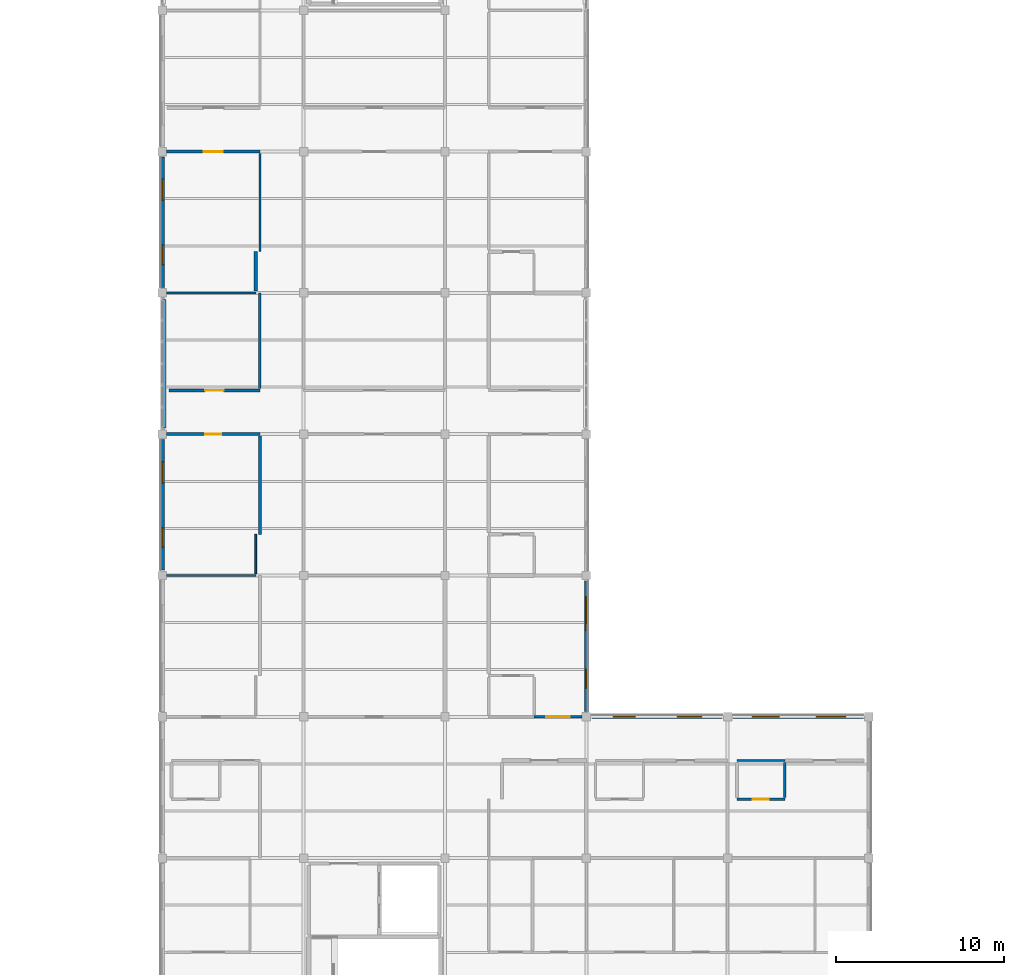
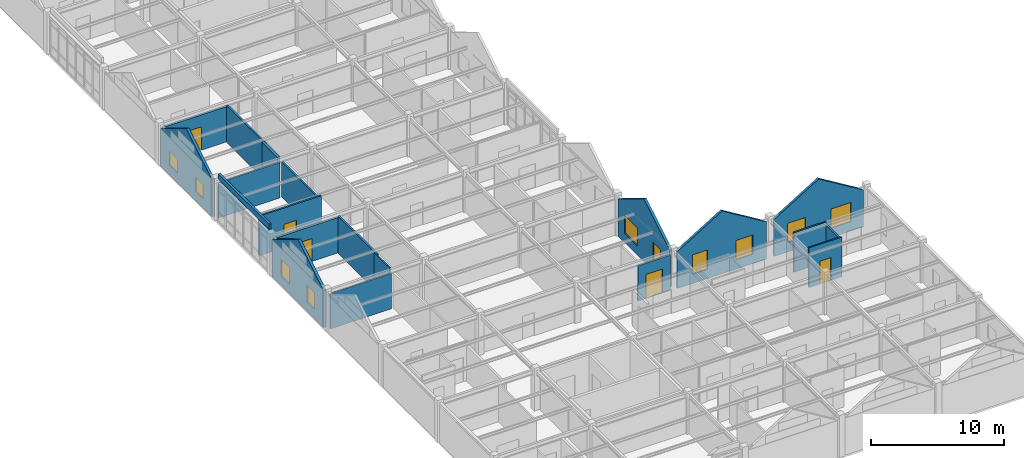
# One storey, part 35 of 45: 20 walls, 10 windows, 5 doors, 15 openings.
"""IFC4 building model written with IfcOpenShell, lengths in metres."""

from ifc_helpers import new_model, si_unit, direction, frame, frame_2d, origin, place, context, subcontext, project, spatial, polyline, rectangle, outline, extrude, material, layer, layer_set, type_object, element, fill, save


model = new_model("IFC4")

# Units and contexts
model_context = context("Model", 3, precision=1e-05, world=origin(), true_north=direction((0.0, 1.0)))
body_context = subcontext(model_context, "Body", "Model", "MODEL_VIEW")
ifc_project = project(units=[si_unit("LENGTHUNIT", "METRE"), si_unit("AREAUNIT", "SQUARE_METRE"), si_unit("VOLUMEUNIT", "CUBIC_METRE"), si_unit("PLANEANGLEUNIT", "RADIAN"), si_unit("MASSUNIT", "GRAM", prefix="KILO")], contexts=[model_context])

# Site, building, storey
site_placement = place(None, origin())
site = spatial("IfcSite", under=ifc_project, at=site_placement, CompositionType="ELEMENT")
building_placement = place(site_placement, origin())
building = spatial("IfcBuilding", under=site, at=building_placement, Name="Bramfleet General Hospital", CompositionType="ELEMENT")
storey_placement = place(building_placement, frame((0.0, 0.0, 30.300048828125)))
storey = spatial("IfcBuildingStorey", under=building, at=storey_placement, Name="L07", CompositionType="ELEMENT", Elevation=30.300048828125)

# Wall, openings, windows
ifc_material_1 = material(Name="Structural timber GL28h", Category="wood")
ifc_layer_1 = layer(ifc_material_1, 0.219970703125, Name="WT-EW-10")
ifc_layer_set_1 = layer_set([ifc_layer_1], Name="Structural timber GL28h")
wall_type_1 = type_object("IfcWallType", Name="WT-EW-10", PredefinedType="SOLIDWALL", material=ifc_layer_set_1)
wall_1_placement = place(storey_placement, frame((92.39990234375, 50.72509765625, 0.0), z_axis=(0.0, 0.0, 1.0), x_axis=(0.0, 1.0, 0.0)))
wall_1 = element("IfcWall", 1, at=wall_1_placement, inside=storey, type_object=wall_type_1, Name="L07 Exterior Wall 427", PredefinedType="SOLIDWALL", context=body_context, shape_type="SweptSolid", body=[
    extrude(outline(polyline([(0.0, 0.0), (7.75, 0.0), (7.75, 3.419921875), (3.875, 5.76025390625), (0.0, 3.419921875), (0.0, 0.0)])), frame((0.0, 0.10986328125, 0.0), z_axis=(0.0, -1.0, 0.0), x_axis=(1.0, 0.0, 0.0)), (0.0, 0.0, 1.0), 0.219970703125),
])
opening_1_placement = place(wall_1_placement, frame((1.362548828125, 0.0, 0.85009765625)))
opening_1 = element("IfcOpeningElement", 2, at=opening_1_placement, cuts=wall_1, Name="Opening W-03", PredefinedType="OPENING", context=body_context, shape_type="SweptSolid", body=[
    extrude(rectangle(XDim=1.14990234375, YDim=1.300048828125, at=frame_2d((0.574951171875, 0.64990234375))), frame((0.0, 0.119873046875, 0.0), z_axis=(0.0, -1.0, 0.0), x_axis=(1.0, 0.0, 0.0)), (0.0, 0.0, 1.0), 0.239990234375),
])
opening_2_placement = place(wall_1_placement, frame((5.1875, 0.0, 0.85009765625)))
opening_2 = element("IfcOpeningElement", 3, at=opening_2_placement, cuts=wall_1, Name="Opening W-04", PredefinedType="OPENING", context=body_context, shape_type="SweptSolid", body=[
    extrude(rectangle(XDim=1.25, YDim=1.300048828125, at=frame_2d((0.625, 0.64990234375))), frame((0.0, 0.119873046875, 0.0), z_axis=(0.0, -1.0, 0.0), x_axis=(1.0, 0.0, 0.0)), (0.0, 0.0, 1.0), 0.239990234375),
])
ifc_material_2 = material(Name="Anodised aluminium and low-E triple glazing", Category="aluminium")
window_type_1 = type_object("IfcWindowType", Name="WIN-W-03", PartitioningType="SINGLE_PANEL", PredefinedType="WINDOW", material=ifc_material_2)
window_1_placement = place(opening_1_placement, origin())
window_1 = element("IfcWindow", 4, at=window_1_placement, inside=storey, type_object=window_type_1, Name="L07 Facade Window WIN-L07-427-1", OverallHeight=1.300048828125, OverallWidth=1.14990234375, PartitioningType="SINGLE_PANEL", PredefinedType="WINDOW", context=body_context, shape_type="SweptSolid", body=[
    extrude(rectangle(XDim=1.14990234375, YDim=1.300048828125, at=frame_2d((0.574951171875, 0.64990234375))), frame((0.0, 0.030029296875, 0.0), z_axis=(0.0, -1.0, 0.0), x_axis=(1.0, 0.0, 0.0)), (0.0, 0.0, 1.0), 0.06005859375),
])
fill(opening_1, window_1)
window_type_2 = type_object("IfcWindowType", Name="WIN-W-04", PartitioningType="SINGLE_PANEL", PredefinedType="WINDOW", material=ifc_material_2)
window_2_placement = place(opening_2_placement, origin())
window_2 = element("IfcWindow", 5, at=window_2_placement, inside=storey, type_object=window_type_2, Name="L07 Facade Window WIN-L07-427-2", OverallHeight=1.300048828125, OverallWidth=1.25, PartitioningType="SINGLE_PANEL", PredefinedType="WINDOW", context=body_context, shape_type="SweptSolid", body=[
    extrude(rectangle(XDim=1.25, YDim=1.300048828125, at=frame_2d((0.625, 0.64990234375))), frame((0.0, 0.030029296875, 0.0), z_axis=(0.0, -1.0, 0.0), x_axis=(1.0, 0.0, 0.0)), (0.0, 0.0, 1.0), 0.06005859375),
])
fill(opening_2, window_2)

wall_2_placement = place(storey_placement, frame((117.60009765625, 33.27490234375, 0.0), z_axis=(0.0, 0.0, 1.0), x_axis=(0.0, -1.0, 0.0)))
wall_2 = element("IfcWall", 6, at=wall_2_placement, inside=storey, type_object=wall_type_1, Name="L07 Exterior Wall 446", PredefinedType="SOLIDWALL", context=body_context, shape_type="SweptSolid", body=[
    extrude(outline(polyline([(0.0, 0.0), (7.75, 0.0), (7.75, 3.419921875), (3.875, 5.76025390625), (0.0, 3.419921875), (0.0, 0.0)])), frame((0.0, 0.10986328125, 0.0), z_axis=(0.0, -1.0, 0.0), x_axis=(1.0, 0.0, 0.0)), (0.0, 0.0, 1.0), 0.219970703125),
])
opening_3_placement = place(wall_2_placement, frame((0.9375, 0.0, 0.85009765625)))
opening_3 = element("IfcOpeningElement", 7, at=opening_3_placement, cuts=wall_2, Name="Opening W-40", PredefinedType="OPENING", context=body_context, shape_type="SweptSolid", body=[
    extrude(rectangle(XDim=2.0, YDim=1.659912109375, at=frame_2d((1.0, 0.830078125))), frame((0.0, 0.119873046875, 0.0), z_axis=(0.0, -1.0, 0.0), x_axis=(1.0, 0.0, 0.0)), (0.0, 0.0, 1.0), 0.239990234375),
])
opening_4_placement = place(wall_2_placement, frame((5.237548828125, 0.0, 0.85009765625)))
opening_4 = element("IfcOpeningElement", 8, at=opening_4_placement, cuts=wall_2, Name="Opening W-41", PredefinedType="OPENING", context=body_context, shape_type="SweptSolid", body=[
    extrude(rectangle(XDim=1.14990234375, YDim=1.780029296875, at=frame_2d((0.574951171875, 0.89013671875))), frame((0.0, 0.119873046875, 0.0), z_axis=(0.0, -1.0, 0.0), x_axis=(1.0, 0.0, 0.0)), (0.0, 0.0, 1.0), 0.239990234375),
])
window_type_3 = type_object("IfcWindowType", Name="WIN-W-40", PartitioningType="SINGLE_PANEL", PredefinedType="WINDOW", material=ifc_material_2)
window_3_placement = place(opening_3_placement, origin())
window_3 = element("IfcWindow", 9, at=window_3_placement, inside=storey, type_object=window_type_3, Name="L07 Facade Window WIN-L07-446-1", OverallHeight=1.659912109375, OverallWidth=2.0, PartitioningType="SINGLE_PANEL", PredefinedType="WINDOW", context=body_context, shape_type="SweptSolid", body=[
    extrude(rectangle(XDim=2.0, YDim=1.659912109375, at=frame_2d((1.0, 0.830078125))), frame((0.0, 0.030029296875, 0.0), z_axis=(0.0, -1.0, 0.0), x_axis=(1.0, 0.0, 0.0)), (0.0, 0.0, 1.0), 0.06005859375),
])
fill(opening_3, window_3)
window_type_4 = type_object("IfcWindowType", Name="WIN-W-41", PartitioningType="SINGLE_PANEL", PredefinedType="WINDOW", material=ifc_material_2)
window_4_placement = place(opening_4_placement, origin())
window_4 = element("IfcWindow", 10, at=window_4_placement, inside=storey, type_object=window_type_4, Name="L07 Facade Window WIN-L07-446-2", OverallHeight=1.780029296875, OverallWidth=1.14990234375, PartitioningType="SINGLE_PANEL", PredefinedType="WINDOW", context=body_context, shape_type="SweptSolid", body=[
    extrude(rectangle(XDim=1.14990234375, YDim=1.780029296875, at=frame_2d((0.574951171875, 0.89013671875))), frame((0.0, 0.030029296875, 0.0), z_axis=(0.0, -1.0, 0.0), x_axis=(1.0, 0.0, 0.0)), (0.0, 0.0, 1.0), 0.06005859375),
])
fill(opening_4, window_4)

wall_3_placement = place(storey_placement, frame((117.925048828125, 25.199951171875, 0.0), z_axis=(0.0, 0.0, 1.0), x_axis=(1.0, 0.0, 0.0)))
wall_3 = element("IfcWall", 11, at=wall_3_placement, inside=storey, type_object=wall_type_1, Name="L07 Exterior Wall 447", PredefinedType="SOLIDWALL", context=body_context, shape_type="SweptSolid", body=[
    extrude(outline(polyline([(0.0, 0.0), (7.75, 0.0), (7.75, 3.39990234375), (3.875, 5.76025390625), (0.0, 3.39990234375), (0.0, 0.0)])), frame((0.0, 0.10986328125, 0.0), z_axis=(0.0, -1.0, 0.0), x_axis=(1.0, 0.0, 0.0)), (0.0, 0.0, 1.0), 0.219970703125),
])
opening_5_placement = place(wall_3_placement, frame((1.28759765625, 0.0, 0.85009765625)))
opening_5 = element("IfcOpeningElement", 12, at=opening_5_placement, cuts=wall_3, Name="Opening W-42", PredefinedType="OPENING", context=body_context, shape_type="SweptSolid", body=[
    extrude(rectangle(XDim=1.300048828125, YDim=1.780029296875, at=frame_2d((0.64990234375, 0.89013671875))), frame((0.0, 0.119873046875, 0.0), z_axis=(0.0, -1.0, 0.0), x_axis=(1.0, 0.0, 0.0)), (0.0, 0.0, 1.0), 0.239990234375),
])
opening_6_placement = place(wall_3_placement, frame((5.08740234375, 0.0, 0.85009765625)))
opening_6 = element("IfcOpeningElement", 13, at=opening_6_placement, cuts=wall_3, Name="Opening W-43", PredefinedType="OPENING", context=body_context, shape_type="SweptSolid", body=[
    extrude(rectangle(XDim=1.449951171875, YDim=1.780029296875, at=frame_2d((0.72509765625, 0.89013671875))), frame((0.0, 0.119873046875, 0.0), z_axis=(0.0, -1.0, 0.0), x_axis=(1.0, 0.0, 0.0)), (0.0, 0.0, 1.0), 0.239990234375),
])
window_type_5 = type_object("IfcWindowType", Name="WIN-W-42", PartitioningType="SINGLE_PANEL", PredefinedType="WINDOW", material=ifc_material_2)
window_5_placement = place(opening_5_placement, origin())
window_5 = element("IfcWindow", 14, at=window_5_placement, inside=storey, type_object=window_type_5, Name="L07 Facade Window WIN-L07-447-1", OverallHeight=1.780029296875, OverallWidth=1.300048828125, PartitioningType="SINGLE_PANEL", PredefinedType="WINDOW", context=body_context, shape_type="SweptSolid", body=[
    extrude(rectangle(XDim=1.300048828125, YDim=1.780029296875, at=frame_2d((0.64990234375, 0.89013671875))), frame((0.0, 0.030029296875, 0.0), z_axis=(0.0, -1.0, 0.0), x_axis=(1.0, 0.0, 0.0)), (0.0, 0.0, 1.0), 0.06005859375),
])
fill(opening_5, window_5)
window_type_6 = type_object("IfcWindowType", Name="WIN-W-43", PartitioningType="SINGLE_PANEL", PredefinedType="WINDOW", material=ifc_material_2)
window_6_placement = place(opening_6_placement, origin())
window_6 = element("IfcWindow", 15, at=window_6_placement, inside=storey, type_object=window_type_6, Name="L07 Facade Window WIN-L07-447-2", OverallHeight=1.780029296875, OverallWidth=1.449951171875, PartitioningType="SINGLE_PANEL", PredefinedType="WINDOW", context=body_context, shape_type="SweptSolid", body=[
    extrude(rectangle(XDim=1.449951171875, YDim=1.780029296875, at=frame_2d((0.72509765625, 0.89013671875))), frame((0.0, 0.030029296875, 0.0), z_axis=(0.0, -1.0, 0.0), x_axis=(1.0, 0.0, 0.0)), (0.0, 0.0, 1.0), 0.06005859375),
])
fill(opening_6, window_6)

wall_4_placement = place(storey_placement, frame((126.324951171875, 25.199951171875, 0.0), z_axis=(0.0, 0.0, 1.0), x_axis=(1.0, 0.0, 0.0)))
wall_4 = element("IfcWall", 16, at=wall_4_placement, inside=storey, type_object=wall_type_1, Name="L07 Exterior Wall 448", PredefinedType="SOLIDWALL", context=body_context, shape_type="SweptSolid", body=[
    extrude(outline(polyline([(0.0, 0.0), (7.75, 0.0), (7.75, 3.39990234375), (3.875, 5.76025390625), (0.0, 3.39990234375), (0.0, 0.0)])), frame((0.0, 0.10986328125, 0.0), z_axis=(0.0, -1.0, 0.0), x_axis=(1.0, 0.0, 0.0)), (0.0, 0.0, 1.0), 0.219970703125),
])
opening_7_placement = place(wall_4_placement, frame((1.137451171875, 0.0, 0.85009765625)))
opening_7 = element("IfcOpeningElement", 17, at=opening_7_placement, cuts=wall_4, Name="Opening W-44", PredefinedType="OPENING", context=body_context, shape_type="SweptSolid", body=[
    extrude(rectangle(XDim=1.60009765625, YDim=1.780029296875, at=frame_2d((0.800048828125, 0.89013671875))), frame((0.0, 0.119873046875, 0.0), z_axis=(0.0, -1.0, 0.0), x_axis=(1.0, 0.0, 0.0)), (0.0, 0.0, 1.0), 0.239990234375),
])
opening_8_placement = place(wall_4_placement, frame((4.9375, 0.0, 0.85009765625)))
opening_8 = element("IfcOpeningElement", 18, at=opening_8_placement, cuts=wall_4, Name="Opening W-45", PredefinedType="OPENING", context=body_context, shape_type="SweptSolid", body=[
    extrude(rectangle(XDim=1.75, YDim=1.780029296875, at=frame_2d((0.875, 0.89013671875))), frame((0.0, 0.119873046875, 0.0), z_axis=(0.0, -1.0, 0.0), x_axis=(1.0, 0.0, 0.0)), (0.0, 0.0, 1.0), 0.239990234375),
])
window_type_7 = type_object("IfcWindowType", Name="WIN-W-44", PartitioningType="SINGLE_PANEL", PredefinedType="WINDOW", material=ifc_material_2)
window_7_placement = place(opening_7_placement, origin())
window_7 = element("IfcWindow", 19, at=window_7_placement, inside=storey, type_object=window_type_7, Name="L07 Facade Window WIN-L07-448-1", OverallHeight=1.780029296875, OverallWidth=1.60009765625, PartitioningType="SINGLE_PANEL", PredefinedType="WINDOW", context=body_context, shape_type="SweptSolid", body=[
    extrude(rectangle(XDim=1.60009765625, YDim=1.780029296875, at=frame_2d((0.800048828125, 0.89013671875))), frame((0.0, 0.030029296875, 0.0), z_axis=(0.0, -1.0, 0.0), x_axis=(1.0, 0.0, 0.0)), (0.0, 0.0, 1.0), 0.06005859375),
])
fill(opening_7, window_7)
window_type_8 = type_object("IfcWindowType", Name="WIN-W-45", PartitioningType="SINGLE_PANEL", PredefinedType="WINDOW", material=ifc_material_2)
window_8_placement = place(opening_8_placement, origin())
window_8 = element("IfcWindow", 20, at=window_8_placement, inside=storey, type_object=window_type_8, Name="L07 Facade Window WIN-L07-448-2", OverallHeight=1.780029296875, OverallWidth=1.75, PartitioningType="SINGLE_PANEL", PredefinedType="WINDOW", context=body_context, shape_type="SweptSolid", body=[
    extrude(rectangle(XDim=1.75, YDim=1.780029296875, at=frame_2d((0.875, 0.89013671875))), frame((0.0, 0.030029296875, 0.0), z_axis=(0.0, -1.0, 0.0), x_axis=(1.0, 0.0, 0.0)), (0.0, 0.0, 1.0), 0.06005859375),
])
fill(opening_8, window_8)

wall_5_placement = place(storey_placement, frame((92.39990234375, 33.925048828125, 0.0), z_axis=(0.0, 0.0, 1.0), x_axis=(0.0, 1.0, 0.0)))
wall_5 = element("IfcWall", 21, at=wall_5_placement, inside=storey, type_object=wall_type_1, Name="L07 Exterior Wall 460", PredefinedType="SOLIDWALL", context=body_context, shape_type="SweptSolid", body=[
    extrude(outline(polyline([(0.0, 0.0), (7.75, 0.0), (7.75, 3.419921875), (3.875, 5.76025390625), (0.0, 3.419921875), (0.0, 0.0)])), frame((0.0, 0.10986328125, 0.0), z_axis=(0.0, -1.0, 0.0), x_axis=(1.0, 0.0, 0.0)), (0.0, 0.0, 1.0), 0.219970703125),
])
opening_9_placement = place(wall_5_placement, frame((1.362548828125, 0.0, 0.85009765625)))
opening_9 = element("IfcOpeningElement", 22, at=opening_9_placement, cuts=wall_5, Name="Opening W-22", PredefinedType="OPENING", context=body_context, shape_type="SweptSolid", body=[
    extrude(rectangle(XDim=1.14990234375, YDim=1.5400390625, at=frame_2d((0.574951171875, 0.77001953125))), frame((0.0, 0.119873046875, 0.0), z_axis=(0.0, -1.0, 0.0), x_axis=(1.0, 0.0, 0.0)), (0.0, 0.0, 1.0), 0.239990234375),
])
opening_10_placement = place(wall_5_placement, frame((5.1875, 0.0, 0.85009765625)))
opening_10 = element("IfcOpeningElement", 23, at=opening_10_placement, cuts=wall_5, Name="Opening W-23", PredefinedType="OPENING", context=body_context, shape_type="SweptSolid", body=[
    extrude(rectangle(XDim=1.25, YDim=1.5400390625, at=frame_2d((0.625, 0.77001953125))), frame((0.0, 0.119873046875, 0.0), z_axis=(0.0, -1.0, 0.0), x_axis=(1.0, 0.0, 0.0)), (0.0, 0.0, 1.0), 0.239990234375),
])
window_type_9 = type_object("IfcWindowType", Name="WIN-W-22", PartitioningType="SINGLE_PANEL", PredefinedType="WINDOW", material=ifc_material_2)
window_9_placement = place(opening_9_placement, origin())
window_9 = element("IfcWindow", 24, at=window_9_placement, inside=storey, type_object=window_type_9, Name="L07 Facade Window WIN-L07-460-1", OverallHeight=1.5400390625, OverallWidth=1.14990234375, PartitioningType="SINGLE_PANEL", PredefinedType="WINDOW", context=body_context, shape_type="SweptSolid", body=[
    extrude(rectangle(XDim=1.14990234375, YDim=1.5400390625, at=frame_2d((0.574951171875, 0.77001953125))), frame((0.0, 0.030029296875, 0.0), z_axis=(0.0, -1.0, 0.0), x_axis=(1.0, 0.0, 0.0)), (0.0, 0.0, 1.0), 0.06005859375),
])
fill(opening_9, window_9)
window_type_10 = type_object("IfcWindowType", Name="WIN-W-23", PartitioningType="SINGLE_PANEL", PredefinedType="WINDOW", material=ifc_material_2)
window_10_placement = place(opening_10_placement, origin())
window_10 = element("IfcWindow", 25, at=window_10_placement, inside=storey, type_object=window_type_10, Name="L07 Facade Window WIN-L07-460-2", OverallHeight=1.5400390625, OverallWidth=1.25, PartitioningType="SINGLE_PANEL", PredefinedType="WINDOW", context=body_context, shape_type="SweptSolid", body=[
    extrude(rectangle(XDim=1.25, YDim=1.5400390625, at=frame_2d((0.625, 0.77001953125))), frame((0.0, 0.030029296875, 0.0), z_axis=(0.0, -1.0, 0.0), x_axis=(1.0, 0.0, 0.0)), (0.0, 0.0, 1.0), 0.06005859375),
])
fill(opening_10, window_10)

# Wall
ifc_material_3 = material(Name="Concrete C35/45", Category="concrete")
ifc_layer_2 = layer(ifc_material_3, 0.219970703125, Name="WT-IW-01")
ifc_layer_set_2 = layer_set([ifc_layer_2], Name="Concrete C35/45")
wall_type_2 = type_object("IfcWallType", Name="WT-IW-01", PredefinedType="PARTITIONING", material=ifc_layer_set_2)
wall_6_placement = place(storey_placement, frame((97.949951171875, 50.514892578125, 0.0), z_axis=(0.0, 0.0, 1.0), x_axis=(0.0, 1.0, 0.0)))
element("IfcWall", 26, at=wall_6_placement, inside=storey, type_object=wall_type_2, Name="L07 Interior Partition IW-L07-4273", PredefinedType="PARTITIONING", context=body_context, shape_type="SweptSolid", body=[
    extrude(rectangle(XDim=2.335205078125, YDim=0.219970703125, at=frame_2d((1.16748046875, 0.0))), origin(), (0.0, 0.0, 1.0), 3.64990234375),
])

# Wall, opening, door
ifc_layer_3 = layer(ifc_material_3, 0.18994140625, Name="WT-IW-03")
ifc_layer_set_3 = layer_set([ifc_layer_3], Name="Concrete C35/45")
wall_type_3 = type_object("IfcWallType", Name="WT-IW-03", PredefinedType="PARTITIONING", material=ifc_layer_set_3)
wall_7_placement = place(storey_placement, frame((92.64501953125, 58.800048828125, 0.0), z_axis=(0.0, 0.0, 1.0), x_axis=(1.0, 0.0, 0.0)))
wall_7 = element("IfcWall", 27, at=wall_7_placement, inside=storey, type_object=wall_type_3, Name="L07 Interior Partition IW-L07-4179", PredefinedType="PARTITIONING", context=body_context, shape_type="SweptSolid", body=[
    extrude(rectangle(XDim=5.554931640625, YDim=0.18994140625, at=frame_2d((2.77734375, 0.0))), origin(), (0.0, 0.0, 1.0), 3.25),
])
opening_11_placement = place(wall_7_placement, frame((2.202392578125, 0.0, 0.0)))
opening_11 = element("IfcOpeningElement", 28, at=opening_11_placement, cuts=wall_7, Name="Opening D1548", PredefinedType="OPENING", context=body_context, shape_type="SweptSolid", body=[
    extrude(rectangle(XDim=1.14990234375, YDim=2.14990234375, at=frame_2d((0.574951171875, 1.074951171875))), frame((0.0, 0.10498046875, 0.0), z_axis=(0.0, -1.0, 0.0), x_axis=(1.0, 0.0, 0.0)), (0.0, 0.0, 1.0), 0.2099609375),
])
ifc_material_4 = material(Name="Stainless steel and acoustic timber leaf", Category="steel")
door_type_1 = type_object("IfcDoorType", Name="DR-D-12", OperationType="NOTDEFINED", PredefinedType="DOOR", material=ifc_material_4)
door_1_placement = place(opening_11_placement, origin())
door_1 = element("IfcDoor", 29, at=door_1_placement, inside=storey, type_object=door_type_1, Name="Gabled Patient House PH-11 Bedroom 1106 Door D1548", OperationType="SINGLE_SWING_LEFT", OverallHeight=2.14990234375, OverallWidth=1.14990234375, PredefinedType="DOOR", context=body_context, shape_type="SweptSolid", body=[
    extrude(rectangle(XDim=1.14990234375, YDim=2.14990234375, at=frame_2d((0.574951171875, 1.074951171875))), frame((0.0, 0.02490234375, 0.0), z_axis=(0.0, -1.0, 0.0), x_axis=(1.0, 0.0, 0.0)), (0.0, 0.0, 1.0), 0.050048828125),
])
fill(opening_11, door_1)

ifc_layer_4 = layer(ifc_material_3, 0.179931640625, Name="WT-IW-04")
ifc_layer_set_4 = layer_set([ifc_layer_4], Name="Concrete C35/45")
wall_type_4 = type_object("IfcWallType", Name="WT-IW-04", PredefinedType="PARTITIONING", material=ifc_layer_set_4)
wall_8_placement = place(storey_placement, frame((92.64501953125, 42.0, 0.0), z_axis=(0.0, 0.0, 1.0), x_axis=(1.0, 0.0, 0.0)))
wall_8 = element("IfcWall", 30, at=wall_8_placement, inside=storey, type_object=wall_type_4, Name="L07 Interior Partition IW-L07-4168", PredefinedType="PARTITIONING", context=body_context, shape_type="SweptSolid", body=[
    extrude(rectangle(XDim=5.554931640625, YDim=0.179931640625, at=frame_2d((2.77734375, 0.0))), origin(), (0.0, 0.0, 1.0), 3.25),
])
opening_12_placement = place(wall_8_placement, frame((2.302490234375, 0.0, 0.0)))
opening_12 = element("IfcOpeningElement", 31, at=opening_12_placement, cuts=wall_8, Name="Opening D1546", PredefinedType="OPENING", context=body_context, shape_type="SweptSolid", body=[
    extrude(rectangle(XDim=0.949951171875, YDim=2.10009765625, at=frame_2d((0.47509765625, 1.050048828125))), frame((0.0, 0.099853515625, 0.0), z_axis=(0.0, -1.0, 0.0), x_axis=(1.0, 0.0, 0.0)), (0.0, 0.0, 1.0), 0.199951171875),
])
door_type_2 = type_object("IfcDoorType", Name="DR-D-10", OperationType="NOTDEFINED", PredefinedType="DOOR", material=ifc_material_4)
door_2_placement = place(opening_12_placement, origin())
door_2 = element("IfcDoor", 32, at=door_2_placement, inside=storey, type_object=door_type_2, Name="Gabled Patient House PH-10 Bedroom 1104 Door D1546", OperationType="SINGLE_SWING_LEFT", OverallHeight=2.10009765625, OverallWidth=0.949951171875, PredefinedType="DOOR", context=body_context, shape_type="SweptSolid", body=[
    extrude(rectangle(XDim=0.949951171875, YDim=2.10009765625, at=frame_2d((0.47509765625, 1.050048828125))), frame((0.0, 0.02490234375, 0.0), z_axis=(0.0, -1.0, 0.0), x_axis=(1.0, 0.0, 0.0)), (0.0, 0.0, 1.0), 0.050048828125),
])
fill(opening_12, door_2)

# Wall
ifc_material_5 = material(Name="Gypsum plasterboard on acoustic steel studs", Category="steel")
ifc_layer_5 = layer(ifc_material_5, 0.159912109375, Name="WT-IW-06")
ifc_layer_set_5 = layer_set([ifc_layer_5], Name="Gypsum plasterboard on acoustic steel studs")
wall_type_5 = type_object("IfcWallType", Name="WT-IW-06", PredefinedType="PARTITIONING", material=ifc_layer_set_5)
wall_9_placement = place(storey_placement, frame((98.199951171875, 36.050048828125, 0.0), z_axis=(0.0, 0.0, 1.0), x_axis=(0.0, 1.0, 0.0)))
element("IfcWall", 33, at=wall_9_placement, inside=storey, type_object=wall_type_5, Name="L07 Interior Partition IW-L07-4278", PredefinedType="PARTITIONING", context=body_context, shape_type="SweptSolid", body=[
    extrude(rectangle(XDim=5.8349609375, YDim=0.159912109375, at=frame_2d((2.91748046875, 0.0))), origin(), (0.0, 0.0, 1.0), 3.409912109375),
])

# Wall, opening, door
ifc_layer_6 = layer(ifc_material_5, 0.14990234375, Name="WT-IW-07")
ifc_layer_set_6 = layer_set([ifc_layer_6], Name="Gypsum plasterboard on acoustic steel studs")
wall_type_6 = type_object("IfcWallType", Name="WT-IW-07", PredefinedType="PARTITIONING", material=ifc_layer_set_6)
wall_10_placement = place(storey_placement, frame((92.7900390625, 44.60009765625, 0.0), z_axis=(0.0, 0.0, 1.0), x_axis=(1.0, 0.0, 0.0)))
wall_10 = element("IfcWall", 34, at=wall_10_placement, inside=storey, type_object=wall_type_6, Name="L07 Interior Partition IW-L07-4171", PredefinedType="PARTITIONING", context=body_context, shape_type="SweptSolid", body=[
    extrude(rectangle(XDim=5.409912109375, YDim=0.14990234375, at=frame_2d((2.705078125, 0.0))), origin(), (0.0, 0.0, 1.0), 3.64990234375),
])
opening_13_placement = place(wall_10_placement, frame((2.155029296875, 0.0, 0.0)))
opening_13 = element("IfcOpeningElement", 35, at=opening_13_placement, cuts=wall_10, Name="Opening D1547", PredefinedType="OPENING", context=body_context, shape_type="SweptSolid", body=[
    extrude(rectangle(XDim=1.10009765625, YDim=2.14990234375, at=frame_2d((0.550048828125, 1.074951171875))), frame((0.0, 0.0849609375, 0.0), z_axis=(0.0, -1.0, 0.0), x_axis=(1.0, 0.0, 0.0)), (0.0, 0.0, 1.0), 0.169921875),
])
door_type_3 = type_object("IfcDoorType", Name="DR-D-11", OperationType="NOTDEFINED", PredefinedType="DOOR", material=ifc_material_4)
door_3_placement = place(opening_13_placement, origin())
door_3 = element("IfcDoor", 36, at=door_3_placement, inside=storey, type_object=door_type_3, Name="Flat-Link Nurse Station and Medication Hub L07-1105 Door D1547", OperationType="SINGLE_SWING_RIGHT", OverallHeight=2.14990234375, OverallWidth=1.10009765625, PredefinedType="DOOR", context=body_context, shape_type="SweptSolid", body=[
    extrude(rectangle(XDim=1.10009765625, YDim=2.14990234375, at=frame_2d((0.550048828125, 1.074951171875))), frame((0.0, 0.02490234375, 0.0), z_axis=(0.0, -1.0, 0.0), x_axis=(1.0, 0.0, 0.0)), (0.0, 0.0, 1.0), 0.050048828125),
])
fill(opening_13, door_3)

# Walls
wall_11_placement = place(storey_placement, frame((98.199951171875, 44.715087890625, 0.0), z_axis=(0.0, 0.0, 1.0), x_axis=(0.0, 1.0, 0.0)))
element("IfcWall", 37, at=wall_11_placement, inside=storey, type_object=wall_type_6, Name="L07 Interior Partition IW-L07-4279", PredefinedType="PARTITIONING", context=body_context, shape_type="SweptSolid", body=[
    extrude(rectangle(XDim=5.684814453125, YDim=0.14990234375, at=frame_2d((2.84228515625, 0.0))), origin(), (0.0, 0.0, 1.0), 3.25),
])
wall_12_placement = place(storey_placement, frame((129.39990234375, 20.4150390625, 0.0), z_axis=(0.0, 0.0, 1.0), x_axis=(0.0, 1.0, 0.0)))
element("IfcWall", 38, at=wall_12_placement, inside=storey, type_object=wall_type_6, Name="L07 Interior Partition IW-L07-4351", PredefinedType="PARTITIONING", context=body_context, shape_type="SweptSolid", body=[
    extrude(rectangle(XDim=2.070068359375, YDim=0.14990234375, at=frame_2d((1.03515625, 0.0))), origin(), (0.0, 0.0, 1.0), 3.409912109375),
])
ifc_layer_7 = layer(ifc_material_5, 0.139892578125, Name="WT-IW-08")
ifc_layer_set_7 = layer_set([ifc_layer_7], Name="Gypsum plasterboard on acoustic steel studs")
wall_type_7 = type_object("IfcWallType", Name="WT-IW-08", PredefinedType="PARTITIONING", material=ifc_layer_set_7)
wall_13_placement = place(storey_placement, frame((98.199951171875, 52.85009765625, 0.0), z_axis=(0.0, 0.0, 1.0), x_axis=(0.0, 1.0, 0.0)))
element("IfcWall", 39, at=wall_13_placement, inside=storey, type_object=wall_type_7, Name="L07 Interior Partition IW-L07-4280", PredefinedType="PARTITIONING", context=body_context, shape_type="SweptSolid", body=[
    extrude(rectangle(XDim=5.8349609375, YDim=0.139892578125, at=frame_2d((2.91748046875, 0.0))), origin(), (0.0, 0.0, 1.0), 3.409912109375),
])

# Wall, opening, door
ifc_layer_8 = layer(ifc_material_5, 0.1298828125, Name="WT-IW-09")
ifc_layer_set_8 = layer_set([ifc_layer_8], Name="Gypsum plasterboard on acoustic steel studs")
wall_type_8 = type_object("IfcWallType", Name="WT-IW-09", PredefinedType="PARTITIONING", material=ifc_layer_set_8)
wall_14_placement = place(storey_placement, frame((114.5, 25.199951171875, 0.0), z_axis=(0.0, 0.0, 1.0), x_axis=(1.0, 0.0, 0.0)))
wall_14 = element("IfcWall", 40, at=wall_14_placement, inside=storey, type_object=wall_type_8, Name="L07 Interior Partition IW-L07-4161", PredefinedType="PARTITIONING", context=body_context, shape_type="SweptSolid", body=[
    extrude(rectangle(XDim=2.85498046875, YDim=0.1298828125, at=frame_2d((1.427490234375, 0.0))), origin(), (0.0, 0.0, 1.0), 3.25),
])
opening_14_placement = place(wall_14_placement, frame((0.7275390625, 0.0, 0.0)))
opening_14 = element("IfcOpeningElement", 41, at=opening_14_placement, cuts=wall_14, Name="Opening D1569", PredefinedType="OPENING", context=body_context, shape_type="SweptSolid", body=[
    extrude(rectangle(XDim=1.39990234375, YDim=2.199951171875, at=frame_2d((0.699951171875, 1.10009765625))), frame((0.0, 0.074951171875, 0.0), z_axis=(0.0, -1.0, 0.0), x_axis=(1.0, 0.0, 0.0)), (0.0, 0.0, 1.0), 0.14990234375),
])
door_type_4 = type_object("IfcDoorType", Name="DR-D-01", OperationType="NOTDEFINED", PredefinedType="DOOR", material=ifc_material_4)
door_4_placement = place(opening_14_placement, origin())
door_4 = element("IfcDoor", 42, at=door_4_placement, inside=storey, type_object=door_type_4, Name="Gabled Patient House PH-09 Bedroom 1303 Door D1569", OperationType="SINGLE_SWING_RIGHT", OverallHeight=2.199951171875, OverallWidth=1.39990234375, PredefinedType="DOOR", context=body_context, shape_type="SweptSolid", body=[
    extrude(rectangle(XDim=1.39990234375, YDim=2.199951171875, at=frame_2d((0.699951171875, 1.10009765625))), frame((0.0, 0.02490234375, 0.0), z_axis=(0.0, -1.0, 0.0), x_axis=(1.0, 0.0, 0.0)), (0.0, 0.0, 1.0), 0.050048828125),
])
fill(opening_14, door_4)

ifc_layer_9 = layer(ifc_material_5, 0.1201171875, Name="WT-IW-10")
ifc_layer_set_9 = layer_set([ifc_layer_9], Name="Gypsum plasterboard on acoustic steel studs")
wall_type_9 = type_object("IfcWallType", Name="WT-IW-10", PredefinedType="PARTITIONING", material=ifc_layer_set_9)
wall_15_placement = place(storey_placement, frame((126.550048828125, 20.300048828125, 0.0), z_axis=(0.0, 0.0, 1.0), x_axis=(1.0, 0.0, 0.0)))
wall_15 = element("IfcWall", 43, at=wall_15_placement, inside=storey, type_object=wall_type_9, Name="L07 Interior Partition IW-L07-4150", PredefinedType="PARTITIONING", context=body_context, shape_type="SweptSolid", body=[
    extrude(rectangle(XDim=2.849853515625, YDim=0.1201171875, at=frame_2d((1.4248046875, 0.0))), origin(), (0.0, 0.0, 1.0), 3.64990234375),
])
opening_15_placement = place(wall_15_placement, frame((0.949951171875, 0.0, 0.0)))
opening_15 = element("IfcOpeningElement", 44, at=opening_15_placement, cuts=wall_15, Name="Opening D1598", PredefinedType="OPENING", context=body_context, shape_type="SweptSolid", body=[
    extrude(rectangle(XDim=0.949951171875, YDim=2.10009765625, at=frame_2d((0.47509765625, 1.050048828125))), frame((0.0, 0.070068359375, 0.0), z_axis=(0.0, -1.0, 0.0), x_axis=(1.0, 0.0, 0.0)), (0.0, 0.0, 1.0), 0.14013671875),
])
door_5_placement = place(opening_15_placement, origin())
door_5 = element("IfcDoor", 45, at=door_5_placement, inside=storey, type_object=door_type_2, Name="Patient House PH-08 En-Suite Bathroom 1502 Door D1598", OperationType="SINGLE_SWING_LEFT", OverallHeight=2.10009765625, OverallWidth=0.949951171875, PredefinedType="DOOR", context=body_context, shape_type="SweptSolid", body=[
    extrude(rectangle(XDim=0.949951171875, YDim=2.10009765625, at=frame_2d((0.47509765625, 1.050048828125))), frame((0.0, 0.02490234375, 0.0), z_axis=(0.0, -1.0, 0.0), x_axis=(1.0, 0.0, 0.0)), (0.0, 0.0, 1.0), 0.050048828125),
])
fill(opening_15, door_5)

# Walls
wall_16_placement = place(storey_placement, frame((126.550048828125, 22.60009765625, 0.0), z_axis=(0.0, 0.0, 1.0), x_axis=(1.0, 0.0, 0.0)))
element("IfcWall", 46, at=wall_16_placement, inside=storey, type_object=wall_type_9, Name="L07 Interior Partition IW-L07-4156", PredefinedType="PARTITIONING", context=body_context, shape_type="SweptSolid", body=[
    extrude(rectangle(XDim=2.849853515625, YDim=0.1201171875, at=frame_2d((1.4248046875, 0.0))), origin(), (0.0, 0.0, 1.0), 3.64990234375),
])
wall_17_placement = place(storey_placement, frame((92.64501953125, 50.39990234375, 0.0), z_axis=(0.0, 0.0, 1.0), x_axis=(1.0, 0.0, 0.0)))
element("IfcWall", 47, at=wall_17_placement, inside=storey, type_object=wall_type_9, Name="L07 Interior Partition IW-L07-4174", PredefinedType="PARTITIONING", context=body_context, shape_type="SweptSolid", body=[
    extrude(rectangle(XDim=5.304931640625, YDim=0.1201171875, at=frame_2d((2.65234375, 0.0))), origin(), (0.0, 0.0, 1.0), 3.25),
])
ifc_layer_10 = layer(ifc_material_5, 0.112060546875, Name="WT-IW-11")
ifc_layer_set_10 = layer_set([ifc_layer_10], Name="Gypsum plasterboard on acoustic steel studs")
wall_type_10 = type_object("IfcWallType", Name="WT-IW-11", PredefinedType="PARTITIONING", material=ifc_layer_set_10)
wall_18_placement = place(storey_placement, frame((92.64501953125, 33.60009765625, 0.0), z_axis=(0.0, 0.0, 1.0), x_axis=(1.0, 0.0, 0.0)))
element("IfcWall", 48, at=wall_18_placement, inside=storey, type_object=wall_type_10, Name="L07 Interior Partition IW-L07-4163", PredefinedType="PARTITIONING", context=body_context, shape_type="SweptSolid", body=[
    extrude(rectangle(XDim=5.304931640625, YDim=0.112060546875, at=frame_2d((2.65234375, 0.0))), origin(), (0.0, 0.0, 1.0), 3.25),
])
ifc_layer_11 = layer(ifc_material_5, 0.10009765625, Name="WT-IW-12")
ifc_layer_set_11 = layer_set([ifc_layer_11], Name="Gypsum plasterboard on acoustic steel studs")
wall_type_11 = type_object("IfcWallType", Name="WT-IW-12", PredefinedType="PARTITIONING", material=ifc_layer_set_11)
wall_19_placement = place(storey_placement, frame((97.949951171875, 33.715087890625, 0.0), z_axis=(0.0, 0.0, 1.0), x_axis=(0.0, 1.0, 0.0)))
element("IfcWall", 49, at=wall_19_placement, inside=storey, type_object=wall_type_11, Name="L07 Interior Partition IW-L07-4272", PredefinedType="PARTITIONING", context=body_context, shape_type="SweptSolid", body=[
    extrude(rectangle(XDim=2.3349609375, YDim=0.10009765625, at=frame_2d((1.16748046875, 0.0))), origin(), (0.0, 0.0, 1.0), 3.64990234375),
])
ifc_material_6 = material(Name="Precast concrete C40/50", Category="concrete")
ifc_layer_12 = layer(ifc_material_6, 0.199951171875, Name="WT-PW-01")
ifc_layer_set_12 = layer_set([ifc_layer_12], Name="Precast concrete C40/50")
wall_type_12 = type_object("IfcWallType", Name="WT-PW-01", PredefinedType="PARAPET", material=ifc_layer_set_12)
wall_20_placement = place(storey_placement, frame((92.510009765625, 42.3798828125, 3.8798828125), z_axis=(0.0, 0.0, 1.0), x_axis=(0.0, 1.0, 0.0)))
element("IfcWall", 50, at=wall_20_placement, inside=storey, type_object=wall_type_12, Name="Roof Parapet Wall 100", PredefinedType="PARAPET", context=body_context, shape_type="SweptSolid", body=[
    extrude(rectangle(XDim=7.64013671875, YDim=0.199951171875, at=frame_2d((3.820068359375, 0.0))), origin(), (0.0, 0.0, 1.0), 0.469970703125),
])

save(model, "model.ifc")
